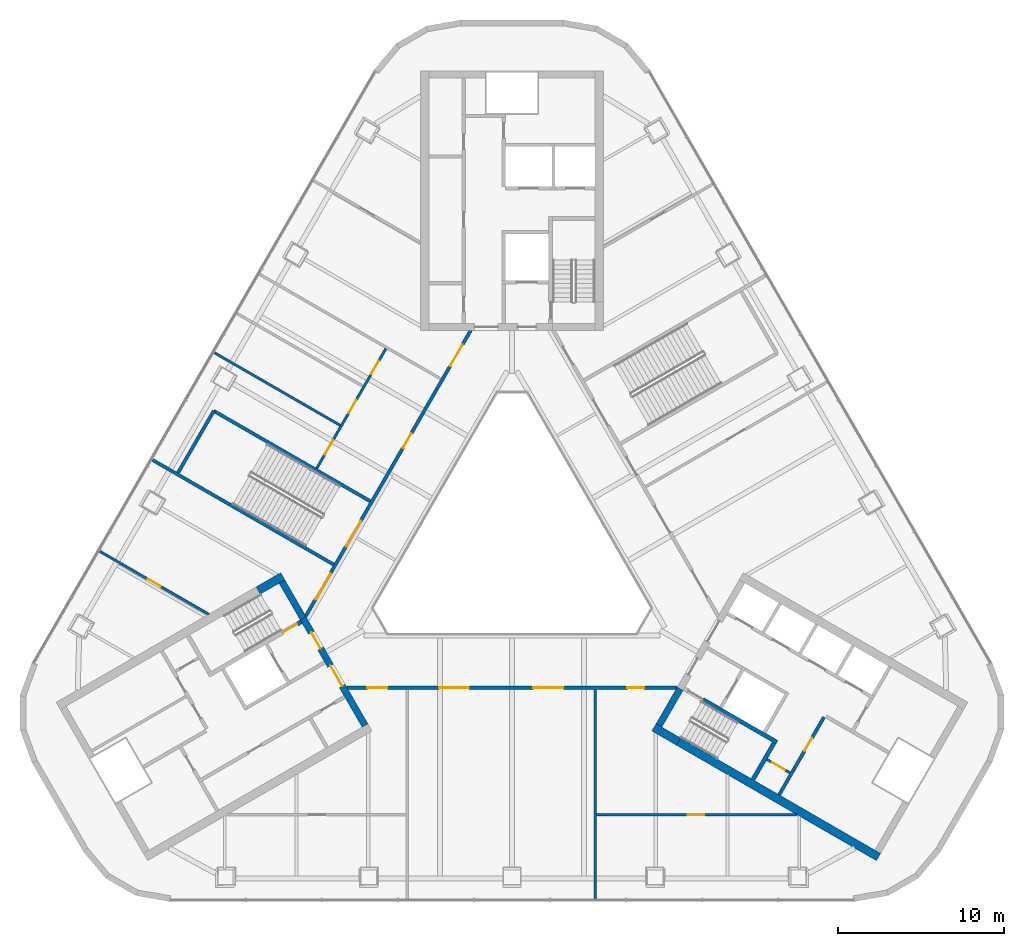
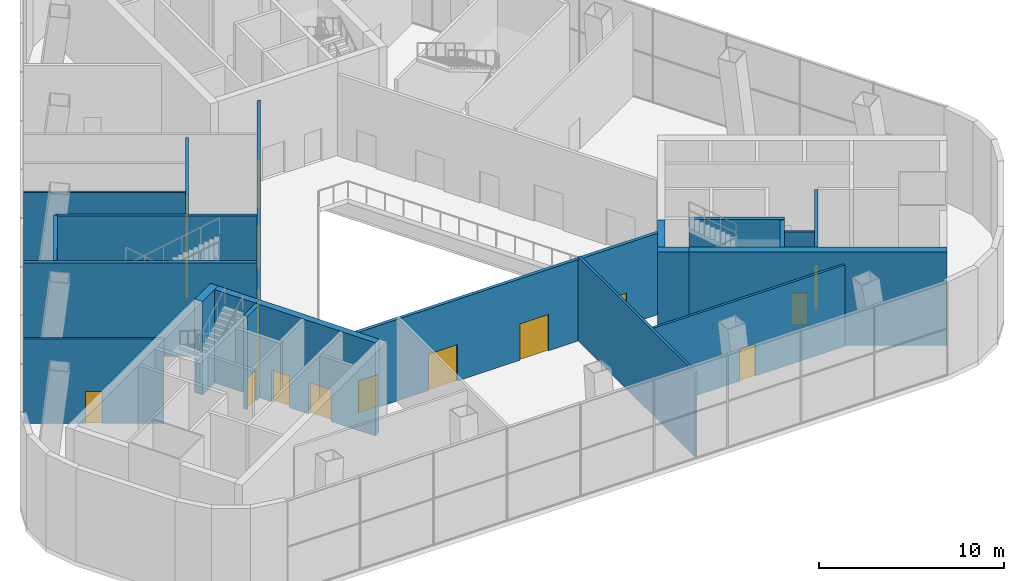
# One storey, part 11 of 17: 21 walls, 18 doors, 18 openings.
"""IFC4 building model written with IfcOpenShell, lengths in metres."""

from ifc_helpers import new_model, si_unit, direction, frame, frame_2d, origin, place, context, subcontext, project, spatial, rectangle, extrude, material, layer, layer_set, type_object, element, fill, save


model = new_model("IFC4")

# Units and contexts
model_context = context("Model", 3, precision=1e-05, world=origin(), true_north=direction((0.0, 1.0)))
body_context = subcontext(model_context, "Body", "Model", "MODEL_VIEW")
ifc_project = project(units=[si_unit("LENGTHUNIT", "METRE"), si_unit("AREAUNIT", "SQUARE_METRE"), si_unit("VOLUMEUNIT", "CUBIC_METRE"), si_unit("PLANEANGLEUNIT", "RADIAN"), si_unit("MASSUNIT", "GRAM", prefix="KILO")], contexts=[model_context])

# Site, building, storey
site_placement = place(None, origin())
site = spatial("IfcSite", under=ifc_project, at=site_placement, CompositionType="ELEMENT")
building_placement = place(site_placement, origin())
building = spatial("IfcBuilding", under=site, at=building_placement, Name="Apuvela Tower Hotel", CompositionType="ELEMENT")
storey_placement = place(building_placement, frame((0.0, 0.0, 9.0)))
storey = spatial("IfcBuildingStorey", under=building, at=storey_placement, Name="L01", CompositionType="ELEMENT", Elevation=9.0)

# Wall
ifc_material_1 = material(Name="Concrete C50/60", Category="concrete")
ifc_layer_1 = layer(ifc_material_1, 0.39990234375)
ifc_layer_set_1 = layer_set([ifc_layer_1], Name="COR-WALL-CORE-400")
wall_type_1 = type_object("IfcWallType", Name="COR-WALL-CORE-400", PredefinedType="SHEAR", material=ifc_layer_set_1)
wall_1_placement = place(storey_placement, frame((-13.844970703125, -2.219970703125, 0.0), z_axis=(0.0, 0.0, 1.0), x_axis=(0.500062241894, -0.865989465428, 0.0)))
element("IfcWall", 1, at=wall_1_placement, inside=storey, type_object=wall_type_1, Name="Core wall SW", PredefinedType="SHEAR", context=body_context, shape_type="SweptSolid", body=[
    extrude(rectangle(XDim=2.550048828125, YDim=0.39990234375, at=frame_2d((1.27490234375, 0.0))), origin(), (0.0, 0.0, 1.0), 6.14990234375),
])

# Wall, openings, doors
wall_2_placement = place(storey_placement, frame((-12.56982421875, -4.42822265625, 0.0), z_axis=(0.0, 0.0, 1.0), x_axis=(0.499984378957, -0.86603442241, 0.0)))
wall_2 = element("IfcWall", 2, at=wall_2_placement, inside=storey, type_object=wall_type_1, Name="Core wall SW", PredefinedType="SHEAR", context=body_context, shape_type="SweptSolid", body=[
    extrude(rectangle(XDim=7.449951171875, YDim=0.39990234375, at=frame_2d((3.72509765625, 0.0))), origin(), (0.0, 0.0, 1.0), 6.14990234375),
])
opening_1_placement = place(wall_2_placement, frame((1.0, 0.0, 0.0)))
opening_1 = element("IfcOpeningElement", 3, at=opening_1_placement, cuts=wall_2, Name="Opening W-FD", PredefinedType="OPENING", context=body_context, shape_type="SweptSolid", body=[
    extrude(rectangle(XDim=1.10009765625, YDim=2.10009765625, at=frame_2d((0.550048828125, 1.050048828125))), frame((0.0, 0.2099609375, 0.0), z_axis=(0.0, -1.0, 0.0), x_axis=(1.0, 0.0, 0.0)), (0.0, 0.0, 1.0), 0.419921875),
])
opening_2_placement = place(wall_2_placement, frame((3.300048828125, 0.0, 0.0)))
opening_2 = element("IfcOpeningElement", 4, at=opening_2_placement, cuts=wall_2, Name="Opening W-GD", PredefinedType="OPENING", context=body_context, shape_type="SweptSolid", body=[
    extrude(rectangle(XDim=1.39990234375, YDim=2.10009765625, at=frame_2d((0.699951171875, 1.050048828125))), frame((0.0, 0.2099609375, 0.0), z_axis=(0.0, -1.0, 0.0), x_axis=(1.0, 0.0, 0.0)), (0.0, 0.0, 1.0), 0.419921875),
])
ifc_material_2 = material(Name="Steel fire door, powder coated", Category="steel")
door_type_1 = type_object("IfcDoorType", Name="COR-FD-1100", OperationType="NOTDEFINED", PredefinedType="DOOR", material=ifc_material_2)
door_1_placement = place(opening_1_placement, frame((1.10009765625, 0.0, 0.0), z_axis=(0.0, 0.0, 1.0), x_axis=(-1.0, 0.0, 0.0)))
door_1 = element("IfcDoor", 5, at=door_1_placement, inside=storey, type_object=door_type_1, Name="Firefighting lobby door W-FD", OperationType="SINGLE_SWING_LEFT", OverallHeight=2.10009765625, OverallWidth=1.10009765625, PredefinedType="DOOR", context=body_context, shape_type="SweptSolid", body=[
    extrude(rectangle(XDim=1.10009765625, YDim=2.10009765625, at=frame_2d((0.550048828125, 1.050048828125))), frame((0.0, 0.02490234375, 0.0), z_axis=(0.0, -1.0, 0.0), x_axis=(1.0, 0.0, 0.0)), (0.0, 0.0, 1.0), 0.050048828125),
])
fill(opening_1, door_1)
ifc_material_3 = material(Name="Glazed steel fire door", Category="steel")
door_type_2 = type_object("IfcDoorType", Name="COR-GD-1400", OperationType="DOUBLE_DOOR_SINGLE_SWING", PredefinedType="DOOR", material=ifc_material_3)
door_2_placement = place(opening_2_placement, frame((1.39990234375, 0.0, 0.0), z_axis=(0.0, 0.0, 1.0), x_axis=(-1.0, 0.0, 0.0)))
door_2 = element("IfcDoor", 6, at=door_2_placement, inside=storey, type_object=door_type_2, Name="Lift lobby door W-GD", OperationType="DOUBLE_DOOR_SINGLE_SWING", OverallHeight=2.10009765625, OverallWidth=1.39990234375, PredefinedType="DOOR", context=body_context, shape_type="SweptSolid", body=[
    extrude(rectangle(XDim=1.39990234375, YDim=2.10009765625, at=frame_2d((0.699951171875, 1.050048828125))), frame((0.0, 0.02490234375, 0.0), z_axis=(0.0, -1.0, 0.0), x_axis=(1.0, 0.0, 0.0)), (0.0, 0.0, 1.0), 0.050048828125),
])
fill(opening_2, door_2)

# Walls
wall_3_placement = place(storey_placement, frame((8.844970703125, -10.880126953125, 0.0), z_axis=(0.0, 0.0, 1.0), x_axis=(0.499990435942, 0.866030925526, 0.0)))
element("IfcWall", 7, at=wall_3_placement, inside=storey, type_object=wall_type_1, Name="Core wall SE", PredefinedType="SHEAR", context=body_context, shape_type="SweptSolid", body=[
    extrude(rectangle(XDim=2.5498046875, YDim=0.39990234375, at=frame_2d((1.27490234375, 0.0))), origin(), (0.0, 0.0, 1.0), 6.14990234375),
])
ifc_layer_2 = layer(ifc_material_1, 0.5)
ifc_layer_set_2 = layer_set([ifc_layer_2], Name="COR-WALL-CORE-500")
wall_type_2 = type_object("IfcWallType", Name="COR-WALL-CORE-500", PredefinedType="SHEAR", material=ifc_layer_set_2)
for number, where, z_axis, x_axis, name in (
    (8, (-13.796630859375, -1.9033203125, 0.0), (0.0, 0.0, 1.0), (-0.866033076574, -0.499986710104, 0.0), "Core wall SW"),
    (9, (8.546630859375, -10.99658203125, 0.0), (0.0, 0.0, 1.0), (0.866033076574, -0.499986710104, 0.0), "Core wall SE"),
):
    element("IfcWall", number, at=place(storey_placement, frame(where, z_axis=z_axis, x_axis=x_axis)), inside=storey, type_object=wall_type_2, Name=name, PredefinedType="SHEAR", context=body_context, shape_type="SweptSolid", body=[
        extrude(rectangle(XDim=1.7060546875, YDim=0.5, at=frame_2d((0.85302734375, 0.0))), origin(), (0.0, 0.0, 1.0), 6.14990234375),
    ])
wall_4_placement = place(storey_placement, frame((10.024169921875, -11.849609375, 0.0), z_axis=(0.0, 0.0, 1.0), x_axis=(0.86602318214, -0.500003847982, 0.0)))
element("IfcWall", 10, at=wall_4_placement, inside=storey, type_object=wall_type_2, Name="Core wall SE", PredefinedType="SHEAR", context=body_context, shape_type="SweptSolid", body=[
    extrude(rectangle(XDim=13.89404296875, YDim=0.5, at=frame_2d((6.947021484375, 0.0))), origin(), (0.0, 0.0, 1.0), 6.14990234375),
])

# Wall, opening, door
ifc_material_4 = material(Name="Blockwork 150 mm plastered", Category="masonry")
ifc_layer_3 = layer(ifc_material_4, 0.14990234375)
ifc_layer_set_3 = layer_set([ifc_layer_3], Name="COR-WALL-PART-150")
wall_type_3 = type_object("IfcWallType", Name="COR-WALL-PART-150", PredefinedType="PARTITIONING", material=ifc_layer_set_3)
wall_5_placement = place(storey_placement, frame((15.341552734375, -12.927734375, 0.0), z_axis=(0.0, 0.0, 1.0), x_axis=(0.865989903783, -0.500061482766, 0.0)))
wall_5 = element("IfcWall", 11, at=wall_5_placement, inside=storey, type_object=wall_type_3, Name="Partition SE", PredefinedType="PARTITIONING", context=body_context, shape_type="SweptSolid", body=[
    extrude(rectangle(XDim=1.599853515625, YDim=0.14990234375, at=frame_2d((0.7998046875, 0.0))), origin(), (0.0, 0.0, 1.0), 6.14990234375),
])
opening_3_placement = place(wall_5_placement, frame((0.35009765625, 0.0, 0.0)))
opening_3 = element("IfcOpeningElement", 12, at=opening_3_placement, cuts=wall_5, Name="Opening E-RD", PredefinedType="OPENING", context=body_context, shape_type="SweptSolid", body=[
    extrude(rectangle(XDim=0.89990234375, YDim=2.10009765625, at=frame_2d((0.449951171875, 1.050048828125))), frame((0.0, 0.0849609375, 0.0), z_axis=(0.0, -1.0, 0.0), x_axis=(1.0, 0.0, 0.0)), (0.0, 0.0, 1.0), 0.169921875),
])
ifc_material_5 = material(Name="Steel access door, powder coated", Category="steel")
door_type_3 = type_object("IfcDoorType", Name="COR-RD-900", OperationType="NOTDEFINED", PredefinedType="DOOR", material=ifc_material_5)
door_3_placement = place(opening_3_placement, frame((0.89990234375, 0.0, 0.0), z_axis=(0.0, 0.0, 1.0), x_axis=(-1.0, 0.0, 0.0)))
door_3 = element("IfcDoor", 13, at=door_3_placement, inside=storey, type_object=door_type_3, Name="Riser door E-RD", OperationType="SINGLE_SWING_LEFT", OverallHeight=2.10009765625, OverallWidth=0.89990234375, PredefinedType="DOOR", context=body_context, shape_type="SweptSolid", body=[
    extrude(rectangle(XDim=0.89990234375, YDim=2.10009765625, at=frame_2d((0.449951171875, 1.050048828125))), frame((0.0, 0.02490234375, 0.0), z_axis=(0.0, -1.0, 0.0), x_axis=(1.0, 0.0, 0.0)), (0.0, 0.0, 1.0), 0.050048828125),
])
fill(opening_3, door_3)

ifc_material_6 = material(Name="Blockwork 200 mm plastered", Category="masonry")
ifc_layer_4 = layer(ifc_material_6, 0.199951171875)
ifc_layer_set_4 = layer_set([ifc_layer_4], Name="COR-WALL-PART-200")
wall_type_4 = type_object("IfcWallType", Name="COR-WALL-PART-200", PredefinedType="PARTITIONING", material=ifc_layer_set_4)
wall_6_placement = place(storey_placement, frame((16.076171875, -15.05517578125, 0.0), z_axis=(0.0, 0.0, 1.0), x_axis=(0.499995103361, 0.866028230842, 0.0)))
wall_6 = element("IfcWall", 14, at=wall_6_placement, inside=storey, type_object=wall_type_4, Name="Partition SE", PredefinedType="PARTITIONING", context=body_context, shape_type="SweptSolid", body=[
    extrude(rectangle(XDim=5.39990234375, YDim=0.199951171875, at=frame_2d((2.699951171875, 0.0))), origin(), (0.0, 0.0, 1.0), 6.14990234375),
])
opening_4_placement = place(wall_6_placement, frame((3.050048828125, 0.0, 0.0)))
opening_4 = element("IfcOpeningElement", 15, at=opening_4_placement, cuts=wall_6, Name="Opening E-RS1", PredefinedType="OPENING", context=body_context, shape_type="SweptSolid", body=[
    extrude(rectangle(XDim=0.89990234375, YDim=2.10009765625, at=frame_2d((0.449951171875, 1.050048828125))), frame((0.0, 0.10986328125, 0.0), z_axis=(0.0, -1.0, 0.0), x_axis=(1.0, 0.0, 0.0)), (0.0, 0.0, 1.0), 0.219970703125),
])
door_type_4 = type_object("IfcDoorType", Name="COR-DR-900", OperationType="NOTDEFINED", PredefinedType="DOOR", material=ifc_material_2)
door_4_placement = place(opening_4_placement, frame((0.89990234375, 0.0, 0.0), z_axis=(0.0, 0.0, 1.0), x_axis=(-1.0, 0.0, 0.0)))
door_4 = element("IfcDoor", 16, at=door_4_placement, inside=storey, type_object=door_type_4, Name="Store door E-RS1", OperationType="SINGLE_SWING_LEFT", OverallHeight=2.10009765625, OverallWidth=0.89990234375, PredefinedType="DOOR", context=body_context, shape_type="SweptSolid", body=[
    extrude(rectangle(XDim=0.89990234375, YDim=2.10009765625, at=frame_2d((0.449951171875, 1.050048828125))), frame((0.0, 0.02490234375, 0.0), z_axis=(0.0, -1.0, 0.0), x_axis=(1.0, 0.0, 0.0)), (0.0, 0.0, 1.0), 0.050048828125),
])
fill(opening_4, door_4)

ifc_layer_5 = layer(ifc_material_1, 0.25)
ifc_layer_set_5 = layer_set([ifc_layer_5], Name="COR-WALL-STAIR-250")
wall_type_5 = type_object("IfcWallType", Name="COR-WALL-STAIR-250", PredefinedType="SHEAR", material=ifc_layer_set_5)
wall_7_placement = place(storey_placement, frame((-12.6806640625, -4.636474609375, 0.0), z_axis=(0.0, 0.0, 1.0), x_axis=(-0.86601437931, -0.500019094464, 0.0)))
wall_7 = element("IfcWall", 17, at=wall_7_placement, inside=storey, type_object=wall_type_5, Name="Stair wall SW", PredefinedType="SHEAR", context=body_context, shape_type="SweptSolid", body=[
    extrude(rectangle(XDim=1.30615234375, YDim=0.25, at=frame_2d((0.653076171875, 0.0))), origin(), (0.0, 0.0, 1.0), 6.14990234375),
])
opening_5_placement = place(wall_7_placement, frame((0.300048828125, 0.0, 0.0)))
opening_5 = element("IfcOpeningElement", 18, at=opening_5_placement, cuts=wall_7, Name="Opening W-SD", PredefinedType="OPENING", context=body_context, shape_type="SweptSolid", body=[
    extrude(rectangle(XDim=1.0, YDim=2.10009765625, at=frame_2d((0.5, 1.050048828125))), frame((0.0, 0.135009765625, 0.0), z_axis=(0.0, -1.0, 0.0), x_axis=(1.0, 0.0, 0.0)), (0.0, 0.0, 1.0), 0.27001953125),
])
door_type_5 = type_object("IfcDoorType", Name="COR-SD-1000", OperationType="NOTDEFINED", PredefinedType="DOOR", material=ifc_material_2)
door_5_placement = place(opening_5_placement, frame((1.0, 0.0, 0.0), z_axis=(0.0, 0.0, 1.0), x_axis=(-1.0, 0.0, 0.0)))
door_5 = element("IfcDoor", 19, at=door_5_placement, inside=storey, type_object=door_type_5, Name="Stair door W-SD", OperationType="SINGLE_SWING_LEFT", OverallHeight=2.10009765625, OverallWidth=1.0, PredefinedType="DOOR", context=body_context, shape_type="SweptSolid", body=[
    extrude(rectangle(XDim=1.0, YDim=2.10009765625, at=frame_2d((0.5, 1.050048828125))), frame((0.0, 0.02490234375, 0.0), z_axis=(0.0, -1.0, 0.0), x_axis=(1.0, 0.0, 0.0)), (0.0, 0.0, 1.0), 0.050048828125),
])
fill(opening_5, door_5)

# Walls
wall_8_placement = place(storey_placement, frame((14.49560546875, -14.142578125, 0.0), z_axis=(0.0, 0.0, 1.0), x_axis=(0.500062241894, 0.865989465428, 0.0)))
element("IfcWall", 20, at=wall_8_placement, inside=storey, type_object=wall_type_5, Name="Stair wall SE", PredefinedType="SHEAR", context=body_context, shape_type="SweptSolid", body=[
    extrude(rectangle(XDim=2.550048828125, YDim=0.25, at=frame_2d((1.27490234375, 0.0))), origin(), (0.0, 0.0, 1.0), 6.14990234375),
])
wall_9_placement = place(storey_placement, frame((11.48681640625, -9.31640625, 0.0), z_axis=(0.0, 0.0, 1.0), x_axis=(0.866011695431, -0.500023742813, 0.0)))
element("IfcWall", 21, at=wall_9_placement, inside=storey, type_object=wall_type_5, Name="Stair wall SE", PredefinedType="SHEAR", context=body_context, shape_type="SweptSolid", body=[
    extrude(rectangle(XDim=5.143798828125, YDim=0.25, at=frame_2d((2.57177734375, 0.0))), origin(), (0.0, 0.0, 1.0), 6.14990234375),
])

# Wall, openings, doors
ifc_material_7 = material(Name="Fire-rated gypsum board partition on steel stud", Category="steel")
ifc_layer_6 = layer(ifc_material_7, 0.199951171875)
ifc_layer_set_6 = layer_set([ifc_layer_6], Name="SPC-WALL-CORRIDOR")
wall_type_6 = type_object("IfcWallType", Name="SPC-WALL-CORRIDOR", PredefinedType="PARTITIONING", material=ifc_layer_set_6)
wall_10_placement = place(storey_placement, frame((-9.930419921875, -8.60009765625, 0.0), z_axis=(0.0, 0.0, 1.0), x_axis=(1.0, 0.0, 0.0)))
wall_10 = element("IfcWall", 22, at=wall_10_placement, inside=storey, type_object=wall_type_6, Name="Wall L01-S-CW", PredefinedType="PARTITIONING", context=body_context, shape_type="SweptSolid", body=[
    extrude(rectangle(XDim=19.86083984375, YDim=0.199951171875, at=frame_2d((9.930419921875, 0.0))), origin(), (0.0, 0.0, 1.0), 5.360107421875),
])
opening_6_placement = place(wall_10_placement, frame((1.233642578125, 0.0, 0.0)))
opening_6 = element("IfcOpeningElement", 23, at=opening_6_placement, cuts=wall_10, Name="Opening L01-S09", PredefinedType="OPENING", context=body_context, shape_type="SweptSolid", body=[
    extrude(rectangle(XDim=1.199951171875, YDim=2.10009765625, at=frame_2d((0.60009765625, 1.050048828125))), frame((0.0, 0.10986328125, 0.0), z_axis=(0.0, -1.0, 0.0), x_axis=(1.0, 0.0, 0.0)), (0.0, 0.0, 1.0), 0.219970703125),
])
opening_7_placement = place(wall_10_placement, frame((5.537353515625, 0.0, 0.0)))
opening_7 = element("IfcOpeningElement", 24, at=opening_7_placement, cuts=wall_10, Name="Opening L01-S11", PredefinedType="OPENING", context=body_context, shape_type="SweptSolid", body=[
    extrude(rectangle(XDim=1.800048828125, YDim=2.39990234375, at=frame_2d((0.89990234375, 1.199951171875))), frame((0.0, 0.10986328125, 0.0), z_axis=(0.0, -1.0, 0.0), x_axis=(1.0, 0.0, 0.0)), (0.0, 0.0, 1.0), 0.219970703125),
])
opening_8_placement = place(wall_10_placement, frame((11.223876953125, 0.0, 0.0)))
opening_8 = element("IfcOpeningElement", 25, at=opening_8_placement, cuts=wall_10, Name="Opening L01-S12", PredefinedType="OPENING", context=body_context, shape_type="SweptSolid", body=[
    extrude(rectangle(XDim=1.800048828125, YDim=2.39990234375, at=frame_2d((0.89990234375, 1.199951171875))), frame((0.0, 0.10986328125, 0.0), z_axis=(0.0, -1.0, 0.0), x_axis=(1.0, 0.0, 0.0)), (0.0, 0.0, 1.0), 0.219970703125),
])
opening_9_placement = place(wall_10_placement, frame((16.87744140625, 0.0, 0.0)))
opening_9 = element("IfcOpeningElement", 26, at=opening_9_placement, cuts=wall_10, Name="Opening L01-S13", PredefinedType="OPENING", context=body_context, shape_type="SweptSolid", body=[
    extrude(rectangle(XDim=1.0, YDim=2.10009765625, at=frame_2d((0.5, 1.050048828125))), frame((0.0, 0.10986328125, 0.0), z_axis=(0.0, -1.0, 0.0), x_axis=(1.0, 0.0, 0.0)), (0.0, 0.0, 1.0), 0.219970703125),
])
ifc_material_8 = material(Name="Fire-rated hardwood veneer door leaf", Category="wood")
door_type_6 = type_object("IfcDoorType", Name="SPC-DOOR-1000-FD", OperationType="NOTDEFINED", PredefinedType="DOOR", material=ifc_material_8)
door_6_placement = place(opening_9_placement, frame((1.0, 0.0, 0.0), z_axis=(0.0, 0.0, 1.0), x_axis=(-1.0, 0.0, 0.0)))
door_6 = element("IfcDoor", 27, at=door_6_placement, inside=storey, type_object=door_type_6, Name="L01-S13", OperationType="SINGLE_SWING_RIGHT", OverallHeight=2.10009765625, OverallWidth=1.0, PredefinedType="DOOR", context=body_context, shape_type="SweptSolid", body=[
    extrude(rectangle(XDim=1.0, YDim=2.10009765625, at=frame_2d((0.5, 1.050048828125))), frame((0.0, 0.02490234375, 0.0), z_axis=(0.0, -1.0, 0.0), x_axis=(1.0, 0.0, 0.0)), (0.0, 0.0, 1.0), 0.050048828125),
])
fill(opening_9, door_6)
door_type_7 = type_object("IfcDoorType", Name="SPC-DOOR-1200-FD", OperationType="NOTDEFINED", PredefinedType="DOOR", material=ifc_material_8)
door_7_placement = place(opening_6_placement, frame((1.199951171875, 0.0, 0.0), z_axis=(0.0, 0.0, 1.0), x_axis=(-1.0, 0.0, 0.0)))
door_7 = element("IfcDoor", 28, at=door_7_placement, inside=storey, type_object=door_type_7, Name="L01-S09", OperationType="SINGLE_SWING_RIGHT", OverallHeight=2.10009765625, OverallWidth=1.199951171875, PredefinedType="DOOR", context=body_context, shape_type="SweptSolid", body=[
    extrude(rectangle(XDim=1.199951171875, YDim=2.10009765625, at=frame_2d((0.60009765625, 1.050048828125))), frame((0.0, 0.02490234375, 0.0), z_axis=(0.0, -1.0, 0.0), x_axis=(1.0, 0.0, 0.0)), (0.0, 0.0, 1.0), 0.050048828125),
])
fill(opening_6, door_7)
door_type_8 = type_object("IfcDoorType", Name="SPC-DOOR-1800-FD", OperationType="NOTDEFINED", PredefinedType="DOOR", material=ifc_material_8)
door_8_placement = place(opening_7_placement, frame((1.800048828125, 0.0, 0.0), z_axis=(0.0, 0.0, 1.0), x_axis=(-1.0, 0.0, 0.0)))
door_8 = element("IfcDoor", 29, at=door_8_placement, inside=storey, type_object=door_type_8, Name="L01-S11", OperationType="DOUBLE_DOOR_SINGLE_SWING", OverallHeight=2.39990234375, OverallWidth=1.800048828125, PredefinedType="DOOR", context=body_context, shape_type="SweptSolid", body=[
    extrude(rectangle(XDim=1.800048828125, YDim=2.39990234375, at=frame_2d((0.89990234375, 1.199951171875))), frame((0.0, 0.02490234375, 0.0), z_axis=(0.0, -1.0, 0.0), x_axis=(1.0, 0.0, 0.0)), (0.0, 0.0, 1.0), 0.050048828125),
])
fill(opening_7, door_8)
door_9_placement = place(opening_8_placement, frame((1.800048828125, 0.0, 0.0), z_axis=(0.0, 0.0, 1.0), x_axis=(-1.0, 0.0, 0.0)))
door_9 = element("IfcDoor", 30, at=door_9_placement, inside=storey, type_object=door_type_8, Name="L01-S12", OperationType="DOUBLE_DOOR_SINGLE_SWING", OverallHeight=2.39990234375, OverallWidth=1.800048828125, PredefinedType="DOOR", context=body_context, shape_type="SweptSolid", body=[
    extrude(rectangle(XDim=1.800048828125, YDim=2.39990234375, at=frame_2d((0.89990234375, 1.199951171875))), frame((0.0, 0.02490234375, 0.0), z_axis=(0.0, -1.0, 0.0), x_axis=(1.0, 0.0, 0.0)), (0.0, 0.0, 1.0), 0.050048828125),
])
fill(opening_8, door_9)

wall_11_placement = place(storey_placement, frame((-2.482421875, 12.900146484375, 0.0), z_axis=(0.0, 0.0, 1.0), x_axis=(-0.50000478328, -0.866022642139, 0.0)))
wall_11 = element("IfcWall", 31, at=wall_11_placement, inside=storey, type_object=wall_type_6, Name="Wall L01-NW-CW", PredefinedType="PARTITIONING", context=body_context, shape_type="SweptSolid", body=[
    extrude(rectangle(XDim=19.861083984375, YDim=0.199951171875, at=frame_2d((9.9306640625, 0.0))), origin(), (0.0, 0.0, 1.0), 5.360107421875),
])
opening_10_placement = place(wall_11_placement, frame((13.23046875, 0.0, 0.0)))
opening_10 = element("IfcOpeningElement", 32, at=opening_10_placement, cuts=wall_11, Name="Opening L01-S08", PredefinedType="OPENING", context=body_context, shape_type="SweptSolid", body=[
    extrude(rectangle(XDim=1.800048828125, YDim=2.10009765625, at=frame_2d((0.89990234375, 1.050048828125))), frame((0.0, 0.10986328125, 0.0), z_axis=(0.0, -1.0, 0.0), x_axis=(1.0, 0.0, 0.0)), (0.0, 0.0, 1.0), 0.219970703125),
])
opening_11_placement = place(wall_11_placement, frame((0.983642578125, 0.0, 0.0)))
opening_11 = element("IfcOpeningElement", 33, at=opening_11_placement, cuts=wall_11, Name="Opening L01-S15", PredefinedType="OPENING", context=body_context, shape_type="SweptSolid", body=[
    extrude(rectangle(XDim=1.5, YDim=2.10009765625, at=frame_2d((0.75, 1.050048828125))), frame((0.0, 0.10986328125, 0.0), z_axis=(0.0, -1.0, 0.0), x_axis=(1.0, 0.0, 0.0)), (0.0, 0.0, 1.0), 0.219970703125),
])
opening_12_placement = place(wall_11_placement, frame((16.889892578125, 0.0, 0.0)))
opening_12 = element("IfcOpeningElement", 34, at=opening_12_placement, cuts=wall_11, Name="Opening L01-S17", PredefinedType="OPENING", context=body_context, shape_type="SweptSolid", body=[
    extrude(rectangle(XDim=1.800048828125, YDim=2.39990234375, at=frame_2d((0.89990234375, 1.199951171875))), frame((0.0, 0.10986328125, 0.0), z_axis=(0.0, -1.0, 0.0), x_axis=(1.0, 0.0, 0.0)), (0.0, 0.0, 1.0), 0.219970703125),
])
opening_13_placement = place(wall_11_placement, frame((7.16796875, 0.0, 0.0)))
opening_13 = element("IfcOpeningElement", 35, at=opening_13_placement, cuts=wall_11, Name="Opening L01-S20", PredefinedType="OPENING", context=body_context, shape_type="SweptSolid", body=[
    extrude(rectangle(XDim=1.0, YDim=2.10009765625, at=frame_2d((0.5, 1.050048828125))), frame((0.0, 0.10986328125, 0.0), z_axis=(0.0, -1.0, 0.0), x_axis=(1.0, 0.0, 0.0)), (0.0, 0.0, 1.0), 0.219970703125),
])
door_10_placement = place(opening_13_placement, frame((1.0, 0.0, 0.0), z_axis=(0.0, 0.0, 1.0), x_axis=(-1.0, 0.0, 0.0)))
door_10 = element("IfcDoor", 36, at=door_10_placement, inside=storey, type_object=door_type_6, Name="L01-S20", OperationType="SINGLE_SWING_LEFT", OverallHeight=2.10009765625, OverallWidth=1.0, PredefinedType="DOOR", context=body_context, shape_type="SweptSolid", body=[
    extrude(rectangle(XDim=1.0, YDim=2.10009765625, at=frame_2d((0.5, 1.050048828125))), frame((0.0, 0.02490234375, 0.0), z_axis=(0.0, -1.0, 0.0), x_axis=(1.0, 0.0, 0.0)), (0.0, 0.0, 1.0), 0.050048828125),
])
fill(opening_13, door_10)
door_type_9 = type_object("IfcDoorType", Name="SPC-DOOR-1500-FD", OperationType="NOTDEFINED", PredefinedType="DOOR", material=ifc_material_8)
door_11_placement = place(opening_11_placement, origin())
door_11 = element("IfcDoor", 37, at=door_11_placement, inside=storey, type_object=door_type_9, Name="L01-S15", OperationType="DOUBLE_DOOR_SINGLE_SWING", OverallHeight=2.10009765625, OverallWidth=1.5, PredefinedType="DOOR", context=body_context, shape_type="SweptSolid", body=[
    extrude(rectangle(XDim=1.5, YDim=2.10009765625, at=frame_2d((0.75, 1.050048828125))), frame((0.0, 0.02490234375, 0.0), z_axis=(0.0, -1.0, 0.0), x_axis=(1.0, 0.0, 0.0)), (0.0, 0.0, 1.0), 0.050048828125),
])
fill(opening_11, door_11)
door_12_placement = place(opening_12_placement, origin())
door_12 = element("IfcDoor", 38, at=door_12_placement, inside=storey, type_object=door_type_8, Name="L01-S17", OperationType="DOUBLE_DOOR_SINGLE_SWING", OverallHeight=2.39990234375, OverallWidth=1.800048828125, PredefinedType="DOOR", context=body_context, shape_type="SweptSolid", body=[
    extrude(rectangle(XDim=1.800048828125, YDim=2.39990234375, at=frame_2d((0.89990234375, 1.199951171875))), frame((0.0, 0.02490234375, 0.0), z_axis=(0.0, -1.0, 0.0), x_axis=(1.0, 0.0, 0.0)), (0.0, 0.0, 1.0), 0.050048828125),
])
fill(opening_12, door_12)
ifc_material_9 = material(Name="Steel fire door leaf", Category="steel")
door_type_10 = type_object("IfcDoorType", Name="SPC-DOOR-1800-STAIR", OperationType="NOTDEFINED", PredefinedType="DOOR", material=ifc_material_9)
door_13_placement = place(opening_10_placement, frame((1.800048828125, 0.0, 0.0), z_axis=(0.0, 0.0, 1.0), x_axis=(-1.0, 0.0, 0.0)))
door_13 = element("IfcDoor", 39, at=door_13_placement, inside=storey, type_object=door_type_10, Name="L01-S08", OperationType="DOUBLE_DOOR_SINGLE_SWING", OverallHeight=2.10009765625, OverallWidth=1.800048828125, PredefinedType="DOOR", context=body_context, shape_type="SweptSolid", body=[
    extrude(rectangle(XDim=1.800048828125, YDim=2.10009765625, at=frame_2d((0.89990234375, 1.050048828125))), frame((0.0, 0.02490234375, 0.0), z_axis=(0.0, -1.0, 0.0), x_axis=(1.0, 0.0, 0.0)), (0.0, 0.0, 1.0), 0.050048828125),
])
fill(opening_10, door_13)

# Wall, opening, door
ifc_material_10 = material(Name="Gypsum board partition on steel stud", Category="steel")
ifc_layer_7 = layer(ifc_material_10, 0.14990234375)
ifc_layer_set_7 = layer_set([ifc_layer_7], Name="SPC-WALL-PARTITION")
wall_type_7 = type_object("IfcWallType", Name="SPC-WALL-PARTITION", PredefinedType="PARTITIONING", material=ifc_layer_set_7)
wall_12_placement = place(storey_placement, frame((5.074951171875, -16.2470703125, 0.0), z_axis=(0.0, 0.0, 1.0), x_axis=(1.0, 0.0, 0.0)))
wall_12 = element("IfcWall", 40, at=wall_12_placement, inside=storey, type_object=wall_type_7, Name="Wall L01-S-P02", PredefinedType="PARTITIONING", context=body_context, shape_type="SweptSolid", body=[
    extrude(rectangle(XDim=12.06591796875, YDim=0.14990234375, at=frame_2d((6.032958984375, 0.0))), origin(), (0.0, 0.0, 1.0), 5.360107421875),
])
opening_14_placement = place(wall_12_placement, frame((5.500732421875, 0.0, 0.0)))
opening_14 = element("IfcOpeningElement", 41, at=opening_14_placement, cuts=wall_12, Name="Opening L01-S14", PredefinedType="OPENING", context=body_context, shape_type="SweptSolid", body=[
    extrude(rectangle(XDim=1.0, YDim=2.10009765625, at=frame_2d((0.5, 1.050048828125))), frame((0.0, 0.0849609375, 0.0), z_axis=(0.0, -1.0, 0.0), x_axis=(1.0, 0.0, 0.0)), (0.0, 0.0, 1.0), 0.169921875),
])
ifc_material_11 = material(Name="Hardwood veneer door leaf", Category="wood")
door_type_11 = type_object("IfcDoorType", Name="SPC-DOOR-1000", OperationType="NOTDEFINED", PredefinedType="DOOR", material=ifc_material_11)
door_14_placement = place(opening_14_placement, frame((1.0, 0.0, 0.0), z_axis=(0.0, 0.0, 1.0), x_axis=(-1.0, 0.0, 0.0)))
door_14 = element("IfcDoor", 42, at=door_14_placement, inside=storey, type_object=door_type_11, Name="L01-S14", OperationType="SINGLE_SWING_LEFT", OverallHeight=2.10009765625, OverallWidth=1.0, PredefinedType="DOOR", context=body_context, shape_type="SweptSolid", body=[
    extrude(rectangle(XDim=1.0, YDim=2.10009765625, at=frame_2d((0.5, 1.050048828125))), frame((0.0, 0.02490234375, 0.0), z_axis=(0.0, -1.0, 0.0), x_axis=(1.0, 0.0, 0.0)), (0.0, 0.0, 1.0), 0.050048828125),
])
fill(opening_14, door_14)

# Wall
wall_13_placement = place(storey_placement, frame((5.0, -21.2783203125, 0.0), z_axis=(0.0, 0.0, 1.0), x_axis=(0.0, 1.0, 0.0)))
element("IfcWall", 43, at=wall_13_placement, inside=storey, type_object=wall_type_7, Name="Wall L01-S-P04", PredefinedType="PARTITIONING", context=body_context, shape_type="SweptSolid", body=[
    extrude(rectangle(XDim=12.578369140625, YDim=0.14990234375, at=frame_2d((6.2890625, 0.0))), origin(), (0.0, 0.0, 1.0), 5.550048828125),
])

# Wall, openings, doors
wall_14_placement = place(storey_placement, frame((-7.58984375, 11.801025390625, 0.0), z_axis=(0.0, 0.0, 1.0), x_axis=(-0.500005920892, -0.866021985329, 0.0)))
wall_14 = element("IfcWall", 44, at=wall_14_placement, inside=storey, type_object=wall_type_7, Name="Wall L01-NW-P02", PredefinedType="PARTITIONING", context=body_context, shape_type="SweptSolid", body=[
    extrude(rectangle(XDim=8.3251953125, YDim=0.14990234375, at=frame_2d((4.16259765625, 0.0))), origin(), (0.0, 0.0, 1.0), 5.360107421875),
])
opening_15_placement = place(wall_14_placement, frame((6.3544921875, 0.0, 0.0)))
opening_15 = element("IfcOpeningElement", 45, at=opening_15_placement, cuts=wall_14, Name="Opening L01-S19", PredefinedType="OPENING", context=body_context, shape_type="SweptSolid", body=[
    extrude(rectangle(XDim=1.0, YDim=2.10009765625, at=frame_2d((0.5, 1.050048828125))), frame((0.0, 0.0849609375, 0.0), z_axis=(0.0, -1.0, 0.0), x_axis=(1.0, 0.0, 0.0)), (0.0, 0.0, 1.0), 0.169921875),
])
opening_16_placement = place(wall_14_placement, frame((3.5625, 0.0, 0.0)))
opening_16 = element("IfcOpeningElement", 46, at=opening_16_placement, cuts=wall_14, Name="Opening L01-S21", PredefinedType="OPENING", context=body_context, shape_type="SweptSolid", body=[
    extrude(rectangle(XDim=0.89990234375, YDim=2.10009765625, at=frame_2d((0.449951171875, 1.050048828125))), frame((0.0, 0.0849609375, 0.0), z_axis=(0.0, -1.0, 0.0), x_axis=(1.0, 0.0, 0.0)), (0.0, 0.0, 1.0), 0.169921875),
])
opening_17_placement = place(wall_14_placement, frame((0.87060546875, 0.0, 0.0)))
opening_17 = element("IfcOpeningElement", 47, at=opening_17_placement, cuts=wall_14, Name="Opening L01-S22", PredefinedType="OPENING", context=body_context, shape_type="SweptSolid", body=[
    extrude(rectangle(XDim=0.89990234375, YDim=2.10009765625, at=frame_2d((0.449951171875, 1.050048828125))), frame((0.0, 0.0849609375, 0.0), z_axis=(0.0, -1.0, 0.0), x_axis=(1.0, 0.0, 0.0)), (0.0, 0.0, 1.0), 0.169921875),
])
door_15_placement = place(opening_15_placement, frame((1.0, 0.0, 0.0), z_axis=(0.0, 0.0, 1.0), x_axis=(-1.0, 0.0, 0.0)))
door_15 = element("IfcDoor", 48, at=door_15_placement, inside=storey, type_object=door_type_11, Name="L01-S19", OperationType="SINGLE_SWING_RIGHT", OverallHeight=2.10009765625, OverallWidth=1.0, PredefinedType="DOOR", context=body_context, shape_type="SweptSolid", body=[
    extrude(rectangle(XDim=1.0, YDim=2.10009765625, at=frame_2d((0.5, 1.050048828125))), frame((0.0, 0.02490234375, 0.0), z_axis=(0.0, -1.0, 0.0), x_axis=(1.0, 0.0, 0.0)), (0.0, 0.0, 1.0), 0.050048828125),
])
fill(opening_15, door_15)
door_type_12 = type_object("IfcDoorType", Name="SPC-DOOR-900", OperationType="NOTDEFINED", PredefinedType="DOOR", material=ifc_material_11)
door_16_placement = place(opening_16_placement, frame((0.89990234375, 0.0, 0.0), z_axis=(0.0, 0.0, 1.0), x_axis=(-1.0, 0.0, 0.0)))
door_16 = element("IfcDoor", 49, at=door_16_placement, inside=storey, type_object=door_type_12, Name="L01-S21", OperationType="SINGLE_SWING_RIGHT", OverallHeight=2.10009765625, OverallWidth=0.89990234375, PredefinedType="DOOR", context=body_context, shape_type="SweptSolid", body=[
    extrude(rectangle(XDim=0.89990234375, YDim=2.10009765625, at=frame_2d((0.449951171875, 1.050048828125))), frame((0.0, 0.02490234375, 0.0), z_axis=(0.0, -1.0, 0.0), x_axis=(1.0, 0.0, 0.0)), (0.0, 0.0, 1.0), 0.050048828125),
])
fill(opening_16, door_16)
door_17_placement = place(opening_17_placement, frame((0.89990234375, 0.0, 0.0), z_axis=(0.0, 0.0, 1.0), x_axis=(-1.0, 0.0, 0.0)))
door_17 = element("IfcDoor", 50, at=door_17_placement, inside=storey, type_object=door_type_12, Name="L01-S22", OperationType="SINGLE_SWING_LEFT", OverallHeight=2.10009765625, OverallWidth=0.89990234375, PredefinedType="DOOR", context=body_context, shape_type="SweptSolid", body=[
    extrude(rectangle(XDim=0.89990234375, YDim=2.10009765625, at=frame_2d((0.449951171875, 1.050048828125))), frame((0.0, 0.02490234375, 0.0), z_axis=(0.0, -1.0, 0.0), x_axis=(1.0, 0.0, 0.0)), (0.0, 0.0, 1.0), 0.050048828125),
])
fill(opening_17, door_17)

# Wall
wall_15_placement = place(storey_placement, frame((-17.902587890625, 11.548583984375, 0.0), z_axis=(0.0, 0.0, 1.0), x_axis=(0.866023051915, -0.500004073536, 0.0)))
element("IfcWall", 51, at=wall_15_placement, inside=storey, type_object=wall_type_7, Name="Wall L01-NW-P06", PredefinedType="PARTITIONING", context=body_context, shape_type="SweptSolid", body=[
    extrude(rectangle(XDim=8.72998046875, YDim=0.14990234375, at=frame_2d((4.364990234375, 0.0))), origin(), (0.0, 0.0, 1.0), 5.550048828125),
])

# Wall, opening, door
wall_16_placement = place(storey_placement, frame((-24.802490234375, -0.402587890625, 0.0), z_axis=(0.0, 0.0, 1.0), x_axis=(0.866018471794, -0.500012006368, 0.0)))
wall_16 = element("IfcWall", 52, at=wall_16_placement, inside=storey, type_object=wall_type_7, Name="Wall L01-NW-P09", PredefinedType="PARTITIONING", context=body_context, shape_type="SweptSolid", body=[
    extrude(rectangle(XDim=7.566162109375, YDim=0.14990234375, at=frame_2d((3.783203125, 0.0))), origin(), (0.0, 0.0, 1.0), 5.550048828125),
])
opening_18_placement = place(wall_16_placement, frame((3.333251953125, 0.0, 0.0)))
opening_18 = element("IfcOpeningElement", 53, at=opening_18_placement, cuts=wall_16, Name="Opening L01-S18", PredefinedType="OPENING", context=body_context, shape_type="SweptSolid", body=[
    extrude(rectangle(XDim=0.89990234375, YDim=2.10009765625, at=frame_2d((0.449951171875, 1.050048828125))), frame((0.0, 0.0849609375, 0.0), z_axis=(0.0, -1.0, 0.0), x_axis=(1.0, 0.0, 0.0)), (0.0, 0.0, 1.0), 0.169921875),
])
door_18_placement = place(opening_18_placement, frame((0.89990234375, 0.0, 0.0), z_axis=(0.0, 0.0, 1.0), x_axis=(-1.0, 0.0, 0.0)))
door_18 = element("IfcDoor", 54, at=door_18_placement, inside=storey, type_object=door_type_12, Name="L01-S18", OperationType="SINGLE_SWING_RIGHT", OverallHeight=2.10009765625, OverallWidth=0.89990234375, PredefinedType="DOOR", context=body_context, shape_type="SweptSolid", body=[
    extrude(rectangle(XDim=0.89990234375, YDim=2.10009765625, at=frame_2d((0.449951171875, 1.050048828125))), frame((0.0, 0.02490234375, 0.0), z_axis=(0.0, -1.0, 0.0), x_axis=(1.0, 0.0, 0.0)), (0.0, 0.0, 1.0), 0.050048828125),
])
fill(opening_18, door_18)

# Walls
ifc_material_12 = material(Name="Concrete C40/50", Category="concrete")
ifc_layer_8 = layer(ifc_material_12, 0.199951171875)
ifc_layer_set_8 = layer_set([ifc_layer_8], Name="SPC-WALL-STAIR")
wall_type_8 = type_object("IfcWallType", Name="SPC-WALL-STAIR", PredefinedType="SOLIDWALL", material=ifc_layer_set_8)
wall_17_placement = place(storey_placement, frame((-17.947998046875, 8.052978515625, 0.0), z_axis=(0.0, 0.0, 1.0), x_axis=(-0.500028799954, -0.866008775485, 0.0)))
element("IfcWall", 55, at=wall_17_placement, inside=storey, type_object=wall_type_8, Name="Wall L01-NW-P01", PredefinedType="SOLIDWALL", context=body_context, shape_type="SweptSolid", body=[
    extrude(rectangle(XDim=4.300048828125, YDim=0.199951171875, at=frame_2d((2.14990234375, 0.0))), origin(), (0.0, 0.0, 1.0), 6.14990234375),
])
wall_18_placement = place(storey_placement, frame((-17.947998046875, 8.052978515625, 0.0), z_axis=(0.0, 0.0, 1.0), x_axis=(0.86602026553, -0.500008899612, 0.0)))
element("IfcWall", 56, at=wall_18_placement, inside=storey, type_object=wall_type_8, Name="Wall L01-NW-P07", PredefinedType="SOLIDWALL", context=body_context, shape_type="SweptSolid", body=[
    extrude(rectangle(XDim=10.869873046875, YDim=0.199951171875, at=frame_2d((5.43505859375, 0.0))), origin(), (0.0, 0.0, 1.0), 6.14990234375),
])
wall_19_placement = place(storey_placement, frame((-21.627685546875, 5.0966796875, 0.0), z_axis=(0.0, 0.0, 1.0), x_axis=(0.866023652799, -0.500003032783, 0.0)))
element("IfcWall", 57, at=wall_19_placement, inside=storey, type_object=wall_type_8, Name="Wall L01-NW-P08", PredefinedType="SOLIDWALL", context=body_context, shape_type="SweptSolid", body=[
    extrude(rectangle(XDim=12.57861328125, YDim=0.199951171875, at=frame_2d((6.289306640625, 0.0))), origin(), (0.0, 0.0, 1.0), 6.14990234375),
])

save(model, "model.ifc")
